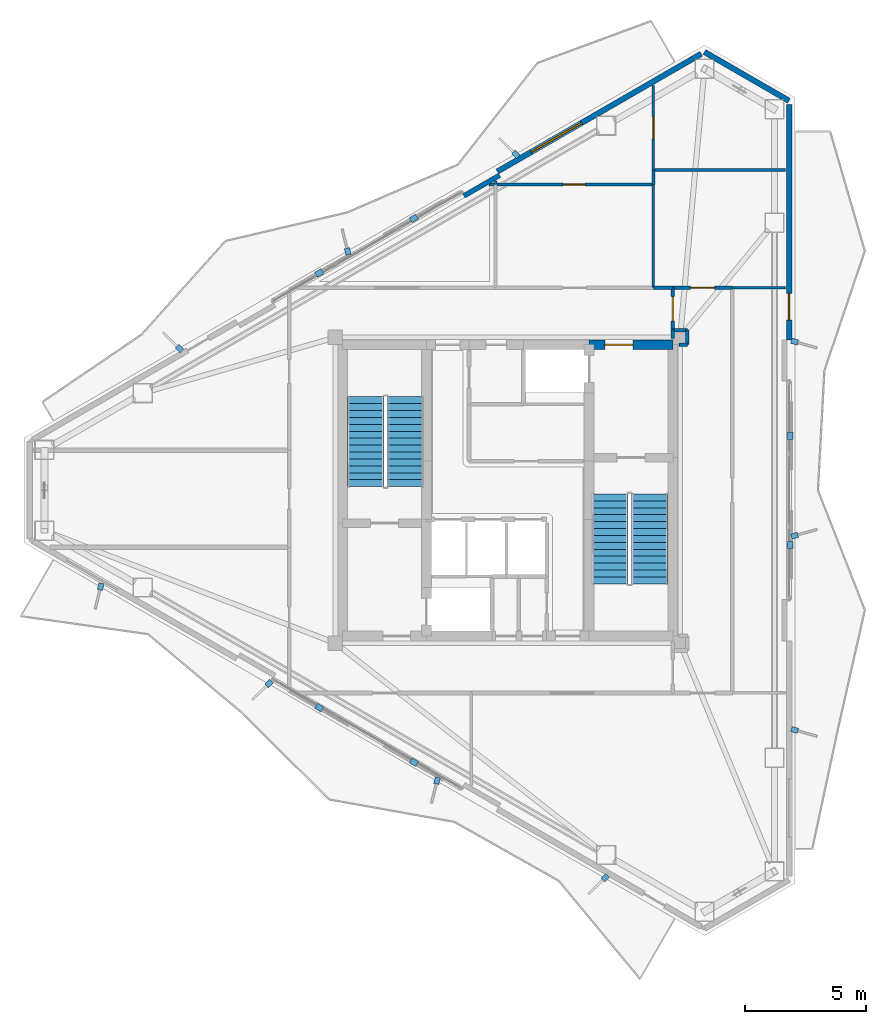
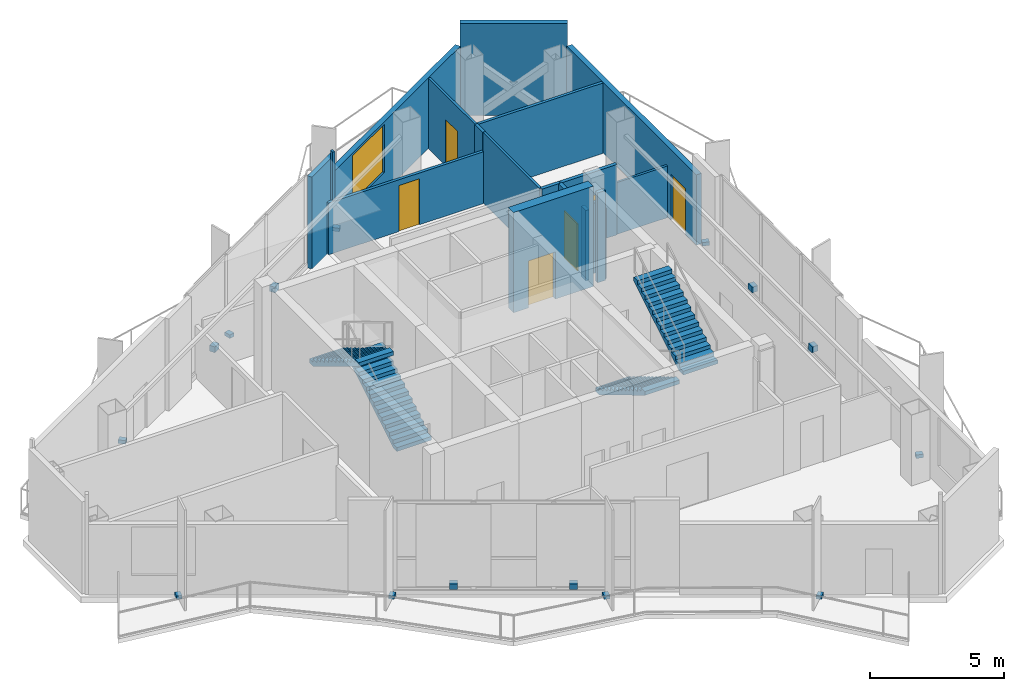
# One storey, part 13 of 15: 19 walls, 16 discrete accessories, 6 doors, 4 stair flights, 1 window, 7 openings, 2 elements without a shape of their own.
"""IFC4 building model written with IfcOpenShell, lengths in metres."""

from ifc_helpers import new_model, si_unit, direction, frame, frame_2d, origin, origin_2d, place, context, subcontext, project, spatial, polyline, rectangle, outline, extrude, material, layer, layer_set, type_object, element, fill, aggregate, save


model = new_model("IFC4")

# Units and contexts
model_context = context("Model", 3, precision=1e-05, world=origin(), true_north=direction((0.0, 1.0)))
body_context = subcontext(model_context, "Body", "Model", "MODEL_VIEW")
ifc_project = project(units=[si_unit("LENGTHUNIT", "METRE"), si_unit("AREAUNIT", "SQUARE_METRE"), si_unit("VOLUMEUNIT", "CUBIC_METRE"), si_unit("PLANEANGLEUNIT", "RADIAN"), si_unit("MASSUNIT", "GRAM", prefix="KILO")], contexts=[model_context])

# Site, building, storey
site_placement = place(None, origin())
site = spatial("IfcSite", under=ifc_project, at=site_placement, CompositionType="ELEMENT")
building_placement = place(site_placement, origin())
building = spatial("IfcBuilding", under=site, at=building_placement, Name="Mersakhor Tower and Convention Hall", CompositionType="ELEMENT")
storey_placement = place(building_placement, frame((0.0, 0.0, 218.39990234375)))
storey = spatial("IfcBuildingStorey", under=building, at=storey_placement, Name="L61", CompositionType="ELEMENT", Elevation=218.39990234375)

# Wall
ifc_material_1 = material(Name="Precast concrete C40/50", Category="concrete")
ifc_layer_1 = layer(ifc_material_1, 0.22509765625)
ifc_layer_set_1 = layer_set([ifc_layer_1], Name="Precast concrete C40/50")
wall_type_1 = type_object("IfcWallType", Name="WL-EXT-225", PredefinedType="SOLIDWALL", material=ifc_layer_set_1)
wall_1_placement = place(storey_placement, frame((37.10400390625, 44.81005859375, 0.0), z_axis=(0.0, 0.0, 1.0), x_axis=(0.866023907196, -0.500002592159, 0.0)))
element("IfcWall", 1, at=wall_1_placement, inside=storey, type_object=wall_type_1, Name="L61 Chamfer Braced Spandrel Wall C1", PredefinedType="SOLIDWALL", context=body_context, shape_type="SweptSolid", body=[
    extrude(rectangle(XDim=4.0234375, YDim=0.22509765625, at=frame_2d((2.01171875, 0.0))), origin(), (0.0, 0.0, 1.0), 4.2001953125),
])

# Wall, opening, window
wall_2_placement = place(storey_placement, frame((28.57470703125, 39.885498046875, 0.0), z_axis=(0.0, 0.0, 1.0), x_axis=(0.866016233231, 0.500015883528, 0.0)))
wall_2 = element("IfcWall", 2, at=wall_2_placement, inside=storey, type_object=wall_type_1, Name="L61 Exterior Facade Wall F1-B3", PredefinedType="SOLIDWALL", context=body_context, shape_type="SweptSolid", body=[
    extrude(rectangle(XDim=9.698974609375, YDim=0.22509765625, at=frame_2d((4.849609375, 0.0))), origin(), (0.0, 0.0, 1.0), 3.215087890625),
])
opening_1_placement = place(wall_2_placement, frame((1.60595703125, 0.0, 0.89990234375)))
opening_1 = element("IfcOpeningElement", 3, at=opening_1_placement, cuts=wall_2, Name="Opening W-09", PredefinedType="OPENING", context=body_context, shape_type="SweptSolid", body=[
    extrude(rectangle(XDim=2.39990234375, YDim=2.199951171875, at=frame_2d((1.199951171875, 1.10009765625))), frame((0.0, 0.12255859375, 0.0), z_axis=(0.0, -1.0, 0.0), x_axis=(1.0, 0.0, 0.0)), (0.0, 0.0, 1.0), 0.2451171875),
])
ifc_material_2 = material(Name="Dark solar low-E glazed aluminium window", Category="aluminium")
window_type = type_object("IfcWindowType", Name="WN-COM-240x220", PartitioningType="SINGLE_PANEL", PredefinedType="WINDOW", material=ifc_material_2)
window_placement = place(opening_1_placement, origin())
window = element("IfcWindow", 4, at=window_placement, inside=storey, type_object=window_type, Name="L61 Facade Punched Window F1-B3", OverallHeight=2.199951171875, OverallWidth=2.39990234375, PartitioningType="SINGLE_PANEL", PredefinedType="WINDOW", context=body_context, shape_type="SweptSolid", body=[
    extrude(rectangle(XDim=2.39990234375, YDim=2.199951171875, at=frame_2d((1.199951171875, 1.10009765625))), frame((0.0, 0.030029296875, 0.0), z_axis=(0.0, -1.0, 0.0), x_axis=(1.0, 0.0, 0.0)), (0.0, 0.0, 1.0), 0.06005859375),
])
fill(opening_1, window)

# Wall, opening, door
wall_3_placement = place(storey_placement, frame((40.58837890625, 42.6484375, 0.0), z_axis=(0.0, 0.0, 1.0), x_axis=(0.0, -1.0, 0.0)))
wall_3 = element("IfcWall", 5, at=wall_3_placement, inside=storey, type_object=wall_type_1, Name="L61 Exterior Facade Wall F2-B1", PredefinedType="SOLIDWALL", context=body_context, shape_type="SweptSolid", body=[
    extrude(rectangle(XDim=9.698974609375, YDim=0.22509765625, at=frame_2d((4.849609375, 0.0))), origin(), (0.0, 0.0, 1.0), 3.215087890625),
])
opening_2_placement = place(wall_3_placement, frame((7.783935546875, 0.0, 0.0)))
opening_2 = element("IfcOpeningElement", 6, at=opening_2_placement, cuts=wall_3, Name="Opening BD-02", PredefinedType="OPENING", context=body_context, shape_type="SweptSolid", body=[
    extrude(rectangle(XDim=1.10009765625, YDim=2.10009765625, at=frame_2d((0.550048828125, 1.050048828125))), frame((0.0, 0.12255859375, 0.0), z_axis=(0.0, -1.0, 0.0), x_axis=(1.0, 0.0, 0.0)), (0.0, 0.0, 1.0), 0.2451171875),
])
ifc_material_3 = material(Name="Thermally broken dark aluminium and safety glass", Category="aluminium")
door_type_1 = type_object("IfcDoorType", Name="DR-BAL-110x210", OperationType="NOTDEFINED", PredefinedType="DOOR", material=ifc_material_3)
door_1_placement = place(opening_2_placement, origin())
door_1 = element("IfcDoor", 7, at=door_1_placement, inside=storey, type_object=door_type_1, Name="L61 Balcony Terrace Door F2-B1", OperationType="SINGLE_SWING_RIGHT", OverallHeight=2.10009765625, OverallWidth=1.10009765625, PredefinedType="DOOR", context=body_context, shape_type="SweptSolid", body=[
    extrude(rectangle(XDim=1.10009765625, YDim=2.10009765625, at=frame_2d((0.550048828125, 1.050048828125))), frame((0.0, 0.02490234375, 0.0), z_axis=(0.0, -1.0, 0.0), x_axis=(1.0, 0.0, 0.0)), (0.0, 0.0, 1.0), 0.050048828125),
])
fill(opening_2, door_1)

# Walls
ifc_material_4 = material(Name="Precast concrete C40/50", Category="concrete")
ifc_layer_2 = layer(ifc_material_4, 0.199951171875)
ifc_layer_set_2 = layer_set([ifc_layer_2], Name="Precast concrete C40/50")
wall_type_2 = type_object("IfcWallType", Name="WL-PAR-200", PredefinedType="PARAPET", material=ifc_layer_set_2)
wall_4_placement = place(storey_placement, frame((27.1923828125, 38.879638671875, 0.0), z_axis=(0.0, 0.0, 1.0), x_axis=(0.866025371046, 0.500000056704, 0.0)))
element("IfcWall", 8, at=wall_4_placement, inside=storey, type_object=wall_type_2, Name="L61 Column Pier Cladding Wall F1-C2", PredefinedType="PARAPET", context=body_context, shape_type="SweptSolid", body=[
    extrude(rectangle(XDim=1.7001953125, YDim=0.199951171875, at=frame_2d((0.85009765625, 0.0))), origin(), (0.0, 0.0, 1.0), 4.2001953125),
])
ifc_material_5 = material(Name="Lightweight gypsum partition", Category="other")
ifc_layer_3 = layer(ifc_material_5, 0.10009765625)
ifc_layer_set_3 = layer_set([ifc_layer_3], Name="Lightweight gypsum partition")
wall_type_3 = type_object("IfcWallType", Name="WL-PRT-100", PredefinedType="PARTITIONING", material=ifc_layer_set_3)
wall_5_placement = place(storey_placement, frame((28.5, 39.50390625, 0.0), z_axis=(0.0, 0.0, 1.0), x_axis=(0.0, -1.0, 0.0)))
element("IfcWall", 9, at=wall_5_placement, inside=storey, type_object=wall_type_3, Name="L61 Interior Partition Wall P-042", PredefinedType="PARTITIONING", context=body_context, shape_type="SweptSolid", body=[
    extrude(rectangle(XDim=0.15380859375, YDim=0.10009765625, at=frame_2d((0.076904296875, 0.0))), origin(), (0.0, 0.0, 1.0), 4.580078125),
])
wall_6_placement = place(storey_placement, frame((35.0, 39.35009765625, 0.0), z_axis=(0.0, 0.0, 1.0), x_axis=(0.0, -1.0, 0.0)))
element("IfcWall", 10, at=wall_6_placement, inside=storey, type_object=wall_type_3, Name="L61 Interior Partition Wall P-044", PredefinedType="PARTITIONING", context=body_context, shape_type="SweptSolid", body=[
    extrude(rectangle(XDim=4.25, YDim=0.10009765625, at=frame_2d((2.125, 0.0))), origin(), (0.0, 0.0, 1.0), 3.215087890625),
])

# Wall, opening, door
wall_7_placement = place(storey_placement, frame((35.0, 43.4375, 0.0), z_axis=(0.0, 0.0, 1.0), x_axis=(0.0, -1.0, 0.0)))
wall_7 = element("IfcWall", 11, at=wall_7_placement, inside=storey, type_object=wall_type_3, Name="L61 Interior Partition Wall P-046", PredefinedType="PARTITIONING", context=body_context, shape_type="SweptSolid", body=[
    extrude(rectangle(XDim=3.487548828125, YDim=0.10009765625, at=frame_2d((1.74365234375, 0.0))), origin(), (0.0, 0.0, 1.0), 3.215087890625),
])
opening_3_placement = place(wall_7_placement, frame((1.293701171875, 0.0, 0.0)))
opening_3 = element("IfcOpeningElement", 12, at=opening_3_placement, cuts=wall_7, Name="Opening WD-01", PredefinedType="OPENING", context=body_context, shape_type="SweptSolid", body=[
    extrude(rectangle(XDim=0.89990234375, YDim=2.10009765625, at=frame_2d((0.449951171875, 1.050048828125))), frame((0.0, 0.06005859375, 0.0), z_axis=(0.0, -1.0, 0.0), x_axis=(1.0, 0.0, 0.0)), (0.0, 0.0, 1.0), 0.1201171875),
])
ifc_material_6 = material(Name="Solid-core hardwood leaf in painted steel frame", Category="steel")
door_type_2 = type_object("IfcDoorType", Name="DR-INT-WET-090x210", OperationType="NOTDEFINED", PredefinedType="DOOR", material=ifc_material_6)
door_2_placement = place(opening_3_placement, origin())
door_2 = element("IfcDoor", 13, at=door_2_placement, inside=storey, type_object=door_type_2, Name="L61 Upper Zone Quiet Study Room 1 Annex to Upper Zone Quiet Study Room 2 Annex Door", OperationType="SINGLE_SWING_LEFT", OverallHeight=2.10009765625, OverallWidth=0.89990234375, PredefinedType="DOOR", context=body_context, shape_type="SweptSolid", body=[
    extrude(rectangle(XDim=0.89990234375, YDim=2.10009765625, at=frame_2d((0.449951171875, 1.050048828125))), frame((0.0, 0.02490234375, 0.0), z_axis=(0.0, -1.0, 0.0), x_axis=(1.0, 0.0, 0.0)), (0.0, 0.0, 1.0), 0.050048828125),
])
fill(opening_3, door_2)

# Wall
wall_8_placement = place(storey_placement, frame((40.451904296875, 35.10009765625, 0.0), z_axis=(0.0, 0.0, 1.0), x_axis=(-1.0, 0.0, 0.0)))
element("IfcWall", 14, at=wall_8_placement, inside=storey, type_object=wall_type_3, Name="L61 Interior Partition Wall P-048", PredefinedType="PARTITIONING", context=body_context, shape_type="SweptSolid", body=[
    extrude(rectangle(XDim=2.201904296875, YDim=0.10009765625, at=frame_2d((1.10107421875, 0.0))), origin(), (0.0, 0.0, 1.0), 2.364990234375),
])

# Wall, opening, door
ifc_material_7 = material(Name="Gypsum board acoustic partition", Category="other")
ifc_layer_4 = layer(ifc_material_7, 0.125)
ifc_layer_set_4 = layer_set([ifc_layer_4], Name="Gypsum board acoustic partition")
wall_type_4 = type_object("IfcWallType", Name="WL-PRT-125", PredefinedType="PARTITIONING", material=ifc_layer_set_4)
wall_9_placement = place(storey_placement, frame((28.232421875, 39.35009765625, 0.0), z_axis=(0.0, 0.0, 1.0), x_axis=(1.0, 0.0, 0.0)))
wall_9 = element("IfcWall", 15, at=wall_9_placement, inside=storey, type_object=wall_type_4, Name="L61 Interior Partition Wall P-045", PredefinedType="PARTITIONING", context=body_context, shape_type="SweptSolid", body=[
    extrude(rectangle(XDim=6.767578125, YDim=0.125, at=frame_2d((3.3837890625, 0.0))), origin(), (0.0, 0.0, 1.0), 2.364990234375),
])
opening_4_placement = place(wall_9_placement, frame((3.047607421875, 0.0, 0.0)))
opening_4 = element("IfcOpeningElement", 16, at=opening_4_placement, cuts=wall_9, Name="Opening WD-01", PredefinedType="OPENING", context=body_context, shape_type="SweptSolid", body=[
    extrude(rectangle(XDim=0.89990234375, YDim=2.10009765625, at=frame_2d((0.449951171875, 1.050048828125))), frame((0.0, 0.072509765625, 0.0), z_axis=(0.0, -1.0, 0.0), x_axis=(1.0, 0.0, 0.0)), (0.0, 0.0, 1.0), 0.14501953125),
])
door_3_placement = place(opening_4_placement, origin())
door_3 = element("IfcDoor", 17, at=door_3_placement, inside=storey, type_object=door_type_2, Name="L61 Upper Zone Quiet Study Room 1 to Upper Zone Quiet Study Room 1 Annex Door", OperationType="SINGLE_SWING_RIGHT", OverallHeight=2.10009765625, OverallWidth=0.89990234375, PredefinedType="DOOR", context=body_context, shape_type="SweptSolid", body=[
    extrude(rectangle(XDim=0.89990234375, YDim=2.10009765625, at=frame_2d((0.449951171875, 1.050048828125))), frame((0.0, 0.02490234375, 0.0), z_axis=(0.0, -1.0, 0.0), x_axis=(1.0, 0.0, 0.0)), (0.0, 0.0, 1.0), 0.050048828125),
])
fill(opening_4, door_3)

# Walls
wall_10_placement = place(storey_placement, frame((35.0, 39.949951171875, 0.0), z_axis=(0.0, 0.0, 1.0), x_axis=(0.0, -1.0, 0.0)))
element("IfcWall", 18, at=wall_10_placement, inside=storey, type_object=wall_type_4, Name="L61 Interior Partition Wall P-047", PredefinedType="PARTITIONING", context=body_context, shape_type="SweptSolid", body=[
    extrude(rectangle(XDim=0.599853515625, YDim=0.125, at=frame_2d((0.2998046875, 0.0))), origin(), (0.0, 0.0, 1.0), 3.215087890625),
])
wall_11_placement = place(storey_placement, frame((35.0, 39.949951171875, 0.0), z_axis=(0.0, 0.0, 1.0), x_axis=(1.0, 0.0, 0.0)))
element("IfcWall", 19, at=wall_11_placement, inside=storey, type_object=wall_type_4, Name="L61 Interior Partition Wall P-049", PredefinedType="PARTITIONING", context=body_context, shape_type="SweptSolid", body=[
    extrude(rectangle(XDim=5.451904296875, YDim=0.125, at=frame_2d((2.72607421875, 0.0))), origin(), (0.0, 0.0, 1.0), 3.215087890625),
])
ifc_material_8 = material(Name="Fire-rated gypsum board stud partition", Category="other")
ifc_layer_5 = layer(ifc_material_8, 0.14990234375)
ifc_layer_set_5 = layer_set([ifc_layer_5], Name="Fire-rated gypsum board stud partition")
wall_type_5 = type_object("IfcWallType", Name="WL-PRT-150", PredefinedType="PARTITIONING", material=ifc_layer_set_5)
wall_12_placement = place(storey_placement, frame((35.0, 35.10009765625, 0.0), z_axis=(0.0, 0.0, 1.0), x_axis=(1.0, 0.0, 0.0)))
element("IfcWall", 20, at=wall_12_placement, inside=storey, type_object=wall_type_5, Name="L61 Interior Partition Wall P-018", PredefinedType="PARTITIONING", context=body_context, shape_type="SweptSolid", body=[
    extrude(rectangle(XDim=0.800048828125, YDim=0.14990234375, at=frame_2d((0.39990234375, 0.0))), origin(), (0.0, 0.0, 1.0), 3.215087890625),
])

# Wall, opening, door
wall_13_placement = place(storey_placement, frame((35.800048828125, 35.10009765625, 0.0), z_axis=(0.0, 0.0, 1.0), x_axis=(0.0, -1.0, 0.0)))
wall_13 = element("IfcWall", 21, at=wall_13_placement, inside=storey, type_object=wall_type_5, Name="L61 Interior Partition Wall P-019", PredefinedType="PARTITIONING", context=body_context, shape_type="SweptSolid", body=[
    extrude(rectangle(XDim=1.75, YDim=0.14990234375, at=frame_2d((0.875, 0.0))), origin(), (0.0, 0.0, 1.0), 3.215087890625),
])
opening_5_placement = place(wall_13_placement, frame((0.375, 0.0, 0.0)))
opening_5 = element("IfcOpeningElement", 22, at=opening_5_placement, cuts=wall_13, Name="Opening FD-01", PredefinedType="OPENING", context=body_context, shape_type="SweptSolid", body=[
    extrude(rectangle(XDim=1.0, YDim=2.14990234375, at=frame_2d((0.5, 1.074951171875))), frame((0.0, 0.0849609375, 0.0), z_axis=(0.0, -1.0, 0.0), x_axis=(1.0, 0.0, 0.0)), (0.0, 0.0, 1.0), 0.169921875),
])
ifc_material_9 = material(Name="Fire-rated hardwood leaf and painted steel frame", Category="steel")
door_type_3 = type_object("IfcDoorType", Name="DR-INT-FLT-100x215", OperationType="NOTDEFINED", PredefinedType="DOOR", material=ifc_material_9)
door_4_placement = place(opening_5_placement, origin())
door_4 = element("IfcDoor", 23, at=door_4_placement, inside=storey, type_object=door_type_3, Name="L61 Ring Corridor Fire Door", OperationType="SINGLE_SWING_LEFT", OverallHeight=2.14990234375, OverallWidth=1.0, PredefinedType="DOOR", context=body_context, shape_type="SweptSolid", body=[
    extrude(rectangle(XDim=1.0, YDim=2.14990234375, at=frame_2d((0.5, 1.074951171875))), frame((0.0, 0.02490234375, 0.0), z_axis=(0.0, -1.0, 0.0), x_axis=(1.0, 0.0, 0.0)), (0.0, 0.0, 1.0), 0.050048828125),
])
fill(opening_5, door_4)

# Walls
wall_14_placement = place(storey_placement, frame((35.800048828125, 33.35009765625, 0.0), z_axis=(0.0, 0.0, 1.0), x_axis=(0.0, -1.0, 0.0)))
element("IfcWall", 24, at=wall_14_placement, inside=storey, type_object=wall_type_5, Name="L61 Interior Partition Wall P-020", PredefinedType="PARTITIONING", context=body_context, shape_type="SweptSolid", body=[
    extrude(rectangle(XDim=0.35009765625, YDim=0.14990234375, at=frame_2d((0.175048828125, 0.0))), origin(), (0.0, 0.0, 1.0), 3.215087890625),
])
wall_15_placement = place(storey_placement, frame((36.39990234375, 32.75, 0.0), z_axis=(0.0, 0.0, 1.0), x_axis=(0.0, 1.0, 0.0)))
element("IfcWall", 25, at=wall_15_placement, inside=storey, type_object=wall_type_5, Name="L61 Interior Partition Wall P-028", PredefinedType="PARTITIONING", context=body_context, shape_type="SweptSolid", body=[
    extrude(rectangle(XDim=0.60009765625, YDim=0.14990234375, at=frame_2d((0.300048828125, 0.0))), origin(), (0.0, 0.0, 1.0), 3.215087890625),
])
wall_16_placement = place(storey_placement, frame((36.39990234375, 33.35009765625, 0.0), z_axis=(0.0, 0.0, 1.0), x_axis=(-1.0, 0.0, 0.0)))
element("IfcWall", 26, at=wall_16_placement, inside=storey, type_object=wall_type_5, Name="L61 Interior Partition Wall P-029", PredefinedType="PARTITIONING", context=body_context, shape_type="SweptSolid", body=[
    extrude(rectangle(XDim=0.599853515625, YDim=0.14990234375, at=frame_2d((0.2998046875, 0.0))), origin(), (0.0, 0.0, 1.0), 3.215087890625),
])

# Wall, opening, door
wall_17_placement = place(storey_placement, frame((35.800048828125, 35.10009765625, 0.0), z_axis=(0.0, 0.0, 1.0), x_axis=(1.0, 0.0, 0.0)))
wall_17 = element("IfcWall", 27, at=wall_17_placement, inside=storey, type_object=wall_type_5, Name="L61 Interior Partition Wall P-030", PredefinedType="PARTITIONING", context=body_context, shape_type="SweptSolid", body=[
    extrude(rectangle(XDim=2.449951171875, YDim=0.14990234375, at=frame_2d((1.22509765625, 0.0))), origin(), (0.0, 0.0, 1.0), 3.215087890625),
])
opening_6_placement = place(wall_17_placement, frame((0.72509765625, 0.0, 0.0)))
opening_6 = element("IfcOpeningElement", 28, at=opening_6_placement, cuts=wall_17, Name="Opening FD-01", PredefinedType="OPENING", context=body_context, shape_type="SweptSolid", body=[
    extrude(rectangle(XDim=1.0, YDim=2.14990234375, at=frame_2d((0.5, 1.074951171875))), frame((0.0, 0.0849609375, 0.0), z_axis=(0.0, -1.0, 0.0), x_axis=(1.0, 0.0, 0.0)), (0.0, 0.0, 1.0), 0.169921875),
])
door_5_placement = place(opening_6_placement, origin())
door_5 = element("IfcDoor", 29, at=door_5_placement, inside=storey, type_object=door_type_3, Name="L61 L61 Sky-Lobby East Corridor to Upper Zone Quiet Study Room 2 Door", OperationType="SINGLE_SWING_LEFT", OverallHeight=2.14990234375, OverallWidth=1.0, PredefinedType="DOOR", context=body_context, shape_type="SweptSolid", body=[
    extrude(rectangle(XDim=1.0, YDim=2.14990234375, at=frame_2d((0.5, 1.074951171875))), frame((0.0, 0.02490234375, 0.0), z_axis=(0.0, -1.0, 0.0), x_axis=(1.0, 0.0, 0.0)), (0.0, 0.0, 1.0), 0.050048828125),
])
fill(opening_6, door_5)

# Wall
wall_18_placement = place(storey_placement, frame((36.050048828125, 32.75, 0.0), z_axis=(0.0, 0.0, 1.0), x_axis=(1.0, 0.0, 0.0)))
element("IfcWall", 30, at=wall_18_placement, inside=storey, type_object=wall_type_5, Name="L61 Interior Partition Wall P-036", PredefinedType="PARTITIONING", context=body_context, shape_type="SweptSolid", body=[
    extrude(rectangle(XDim=0.349853515625, YDim=0.14990234375, at=frame_2d((0.1748046875, 0.0))), origin(), (0.0, 0.0, 1.0), 4.10498046875),
])

# Wall, opening, door
ifc_material_10 = material(Name="Concrete C60/75", Category="concrete")
ifc_layer_6 = layer(ifc_material_10, 0.39990234375)
ifc_layer_set_6 = layer_set([ifc_layer_6], Name="Concrete C60/75")
wall_type_6 = type_object("IfcWallType", Name="WL-SHR-400", PredefinedType="SHEAR", material=ifc_layer_set_6)
wall_19_placement = place(storey_placement, frame((32.35009765625, 32.75, 0.0), z_axis=(0.0, 0.0, 1.0), x_axis=(1.0, 0.0, 0.0)))
wall_19 = element("IfcWall", 31, at=wall_19_placement, inside=storey, type_object=wall_type_6, Name="L61 Core Wall CW-N4", PredefinedType="SHEAR", context=body_context, shape_type="SweptSolid", body=[
    extrude(rectangle(XDim=3.449951171875, YDim=0.39990234375, at=frame_2d((1.72509765625, 0.0))), origin(), (0.0, 0.0, 1.0), 4.580078125),
])
opening_7_placement = place(wall_19_placement, frame((0.64990234375, 0.0, 0.0)))
opening_7 = element("IfcOpeningElement", 32, at=opening_7_placement, cuts=wall_19, Name="Opening SD-01", PredefinedType="OPENING", context=body_context, shape_type="SweptSolid", body=[
    extrude(rectangle(XDim=1.14990234375, YDim=2.14990234375, at=frame_2d((0.574951171875, 1.074951171875))), frame((0.0, 0.2099609375, 0.0), z_axis=(0.0, -1.0, 0.0), x_axis=(1.0, 0.0, 0.0)), (0.0, 0.0, 1.0), 0.419921875),
])
ifc_material_11 = material(Name="Fire-rated hardwood leaf and painted steel frame", Category="steel")
door_type_4 = type_object("IfcDoorType", Name="DR-INT-STAIR-115x215", OperationType="NOTDEFINED", PredefinedType="DOOR", material=ifc_material_11)
door_6_placement = place(opening_7_placement, origin())
door_6 = element("IfcDoor", 33, at=door_6_placement, inside=storey, type_object=door_type_4, Name="L61 Firefighting Lobby East Fire Door", OperationType="SINGLE_SWING_RIGHT", OverallHeight=2.14990234375, OverallWidth=1.14990234375, PredefinedType="DOOR", context=body_context, shape_type="SweptSolid", body=[
    extrude(rectangle(XDim=1.14990234375, YDim=2.14990234375, at=frame_2d((0.574951171875, 1.074951171875))), frame((0.0, 0.02490234375, 0.0), z_axis=(0.0, -1.0, 0.0), x_axis=(1.0, 0.0, 0.0)), (0.0, 0.0, 1.0), 0.050048828125),
])
fill(opening_7, door_6)

# Stair, stair flights
ifc_material_12 = material(Name="Concrete C45/55", Category="concrete")
stair_type = type_object("IfcStairType", Name="ST-TWR-28R", PredefinedType="HALF_TURN_STAIR", material=ifc_material_12)
stair_1_placement = place(storey_placement, origin())
stair_1 = element("IfcStair", 34, at=stair_1_placement, inside=storey, type_object=stair_type, Name="L61 Tower Protected Exit Stair ST-1", PredefinedType="HALF_TURN_STAIR")
ifc_material_13 = material(Name="Concrete C45/55", Category="concrete")
stair_flight_type = type_object("IfcStairFlightType", Name="SFL-TWR-28R", PredefinedType="STRAIGHT", material=ifc_material_13)
stair_flight_1_placement = place(storey_placement, frame((24.800048828125, 26.89990234375, 0.0), z_axis=(0.0, 0.0, 1.0), x_axis=(0.0, 1.0, 0.0)))
stair_flight_1 = element("IfcStairFlight", 35, at=stair_flight_1_placement, type_object=stair_flight_type, Name="ST-1 flight 1", NumberOfRisers=14, NumberOfTreads=13, PredefinedType="STRAIGHT", RiserHeight=0.171428571, TreadLength=0.285, context=body_context, shape_type="SweptSolid", body=[
    extrude(outline(polyline([(0.0, 0.0), (0.0, 0.17138671875), (0.284912109375, 0.17138671875), (0.284912109375, 0.3427734375), (0.570068359375, 0.3427734375), (0.570068359375, 0.514404296875), (0.85498046875, 0.514404296875), (0.85498046875, 0.685791015625), (1.139892578125, 0.685791015625), (1.139892578125, 0.857177734375), (1.425048828125, 0.857177734375), (1.425048828125, 1.028564453125), (1.7099609375, 1.028564453125), (1.7099609375, 1.199951171875), (1.9951171875, 1.199951171875), (1.9951171875, 1.371337890625), (2.280029296875, 1.371337890625), (2.280029296875, 1.54296875), (2.56494140625, 1.54296875), (2.56494140625, 1.71435546875), (2.85009765625, 1.71435546875), (2.85009765625, 1.8857421875), (3.135009765625, 1.8857421875), (3.135009765625, 2.05712890625), (3.419921875, 2.05712890625), (3.419921875, 2.228515625), (3.705078125, 2.228515625), (3.705078125, 2.39990234375), (3.705078125, 2.0537109375), (0.290771484375, 0.0), (0.0, 0.0)])), frame((0.0, 0.75, 0.0), z_axis=(0.0, -1.0, 0.0), x_axis=(1.0, 0.0, 0.0)), (0.0, 0.0, 1.0), 1.5),
])
stair_flight_2_placement = place(storey_placement, frame((23.14990234375, 30.60498046875, 2.400146484375), z_axis=(0.0, 0.0, 1.0), x_axis=(0.0, -1.0, 0.0)))
stair_flight_2 = element("IfcStairFlight", 36, at=stair_flight_2_placement, type_object=stair_flight_type, Name="ST-1 flight 2", NumberOfRisers=14, NumberOfTreads=13, PredefinedType="STRAIGHT", RiserHeight=0.171428571, TreadLength=0.285, context=body_context, shape_type="SweptSolid", body=[
    extrude(outline(polyline([(0.0, 0.0), (0.0, 0.17138671875), (0.284912109375, 0.17138671875), (0.284912109375, 0.3427734375), (0.570068359375, 0.3427734375), (0.570068359375, 0.514404296875), (0.85498046875, 0.514404296875), (0.85498046875, 0.685791015625), (1.139892578125, 0.685791015625), (1.139892578125, 0.857177734375), (1.425048828125, 0.857177734375), (1.425048828125, 1.028564453125), (1.7099609375, 1.028564453125), (1.7099609375, 1.199951171875), (1.9951171875, 1.199951171875), (1.9951171875, 1.371337890625), (2.280029296875, 1.371337890625), (2.280029296875, 1.54296875), (2.56494140625, 1.54296875), (2.56494140625, 1.71435546875), (2.85009765625, 1.71435546875), (2.85009765625, 1.8857421875), (3.135009765625, 1.8857421875), (3.135009765625, 2.05712890625), (3.419921875, 2.05712890625), (3.419921875, 2.228515625), (3.705078125, 2.228515625), (3.705078125, 2.39990234375), (3.705078125, 2.0537109375), (0.290771484375, 0.0), (0.0, 0.0)])), frame((0.0, 0.75, 0.0), z_axis=(0.0, -1.0, 0.0), x_axis=(1.0, 0.0, 0.0)), (0.0, 0.0, 1.0), 1.5),
])
aggregate(stair_1, [stair_flight_1, stair_flight_2])

stair_2_placement = place(storey_placement, origin())
stair_2 = element("IfcStair", 37, at=stair_2_placement, inside=storey, type_object=stair_type, Name="L61 Tower Protected Exit Stair ST-2", PredefinedType="HALF_TURN_STAIR")
stair_flight_3_placement = place(storey_placement, frame((33.199951171875, 26.60009765625, 0.0), z_axis=(0.0, 0.0, 1.0), x_axis=(0.0, -1.0, 0.0)))
stair_flight_3 = element("IfcStairFlight", 38, at=stair_flight_3_placement, type_object=stair_flight_type, Name="ST-2 flight 1", NumberOfRisers=14, NumberOfTreads=13, PredefinedType="STRAIGHT", RiserHeight=0.171428571, TreadLength=0.285, context=body_context, shape_type="SweptSolid", body=[
    extrude(outline(polyline([(0.0, 0.0), (0.0, 0.17138671875), (0.284912109375, 0.17138671875), (0.284912109375, 0.3427734375), (0.570068359375, 0.3427734375), (0.570068359375, 0.514404296875), (0.85498046875, 0.514404296875), (0.85498046875, 0.685791015625), (1.139892578125, 0.685791015625), (1.139892578125, 0.857177734375), (1.425048828125, 0.857177734375), (1.425048828125, 1.028564453125), (1.7099609375, 1.028564453125), (1.7099609375, 1.199951171875), (1.9951171875, 1.199951171875), (1.9951171875, 1.371337890625), (2.280029296875, 1.371337890625), (2.280029296875, 1.54296875), (2.56494140625, 1.54296875), (2.56494140625, 1.71435546875), (2.85009765625, 1.71435546875), (2.85009765625, 1.8857421875), (3.135009765625, 1.8857421875), (3.135009765625, 2.05712890625), (3.419921875, 2.05712890625), (3.419921875, 2.228515625), (3.705078125, 2.228515625), (3.705078125, 2.39990234375), (3.705078125, 2.0537109375), (0.290771484375, 0.0), (0.0, 0.0)])), frame((0.0, 0.75, 0.0), z_axis=(0.0, -1.0, 0.0), x_axis=(1.0, 0.0, 0.0)), (0.0, 0.0, 1.0), 1.5),
])
stair_flight_4_placement = place(storey_placement, frame((34.85009765625, 22.89501953125, 2.400146484375), z_axis=(0.0, 0.0, 1.0), x_axis=(0.0, 1.0, 0.0)))
stair_flight_4 = element("IfcStairFlight", 39, at=stair_flight_4_placement, type_object=stair_flight_type, Name="ST-2 flight 2", NumberOfRisers=14, NumberOfTreads=13, PredefinedType="STRAIGHT", RiserHeight=0.171428571, TreadLength=0.285, context=body_context, shape_type="SweptSolid", body=[
    extrude(outline(polyline([(0.0, 0.0), (0.0, 0.17138671875), (0.284912109375, 0.17138671875), (0.284912109375, 0.3427734375), (0.570068359375, 0.3427734375), (0.570068359375, 0.514404296875), (0.85498046875, 0.514404296875), (0.85498046875, 0.685791015625), (1.139892578125, 0.685791015625), (1.139892578125, 0.857177734375), (1.425048828125, 0.857177734375), (1.425048828125, 1.028564453125), (1.7099609375, 1.028564453125), (1.7099609375, 1.199951171875), (1.9951171875, 1.199951171875), (1.9951171875, 1.371337890625), (2.280029296875, 1.371337890625), (2.280029296875, 1.54296875), (2.56494140625, 1.54296875), (2.56494140625, 1.71435546875), (2.85009765625, 1.71435546875), (2.85009765625, 1.8857421875), (3.135009765625, 1.8857421875), (3.135009765625, 2.05712890625), (3.419921875, 2.05712890625), (3.419921875, 2.228515625), (3.705078125, 2.228515625), (3.705078125, 2.39990234375), (3.705078125, 2.0537109375), (0.290771484375, 0.0), (0.0, 0.0)])), frame((0.0, 0.75, 0.0), z_axis=(0.0, -1.0, 0.0), x_axis=(1.0, 0.0, 0.0)), (0.0, 0.0, 1.0), 1.5),
])
aggregate(stair_2, [stair_flight_3, stair_flight_4])

# Discrete accessories
ifc_material_14 = material(Name="Galvanised steel bracket", Category="steel")
ifc_layer_7 = layer(ifc_material_14, 0.02001953125)
ifc_layer_set_7 = layer_set([ifc_layer_7], Name="Galvanised steel bracket")
discrete_accessory_type = type_object("IfcDiscreteAccessoryType", Name="ACC-BRK-STL", PredefinedType="BRACKET", material=ifc_layer_set_7)
for number, where, z_axis, x_axis, name in (
    (40, (21.232421875, 35.704345703125, 0.2900390625), (0.0, 0.0, 1.0), (0.866025403784, 0.5, 0.0), "L61 Solar Screen Outrigger Bracket BRK-1-1"),
    (41, (25.129150390625, 37.9541015625, 0.2900390625), (0.0, 0.0, 1.0), (0.866025403784, 0.5, 0.0), "L61 Solar Screen Outrigger Bracket BRK-1-2"),
):
    element("IfcDiscreteAccessory", number, at=place(storey_placement, frame(where, z_axis=z_axis, x_axis=x_axis)), inside=storey, type_object=discrete_accessory_type, Name=name, PredefinedType="BRACKET", context=body_context, shape_type="SweptSolid", body=[
        extrude(rectangle(XDim=0.300048828125, YDim=0.239990234375, at=origin_2d()), origin(), (0.0, 0.0, 1.0), 0.260009765625),
    ])
for number, where, z_axis, x_axis, name in (
    (42, (15.47607421875, 32.588623046875, -0.02001953125), (0.0, 0.0, 1.0), (-0.719339800339, 0.694658370459, 0.0), "L61 Facade Fin Base Cleat Bracket FBRK-1-1"),
    (43, (22.404296875, 36.588623046875, -0.02001953125), (0.0, 0.0, 1.0), (-0.2419218956, 0.970295726276, 0.0), "L61 Facade Fin Base Cleat Bracket FBRK-1-2"),
    (44, (29.33251953125, 40.588623046875, -0.02001953125), (0.0, 0.0, 1.0), (-0.719339800339, 0.694658370459, 0.0), "L61 Facade Fin Base Cleat Bracket FBRK-1-3"),
):
    element("IfcDiscreteAccessory", number, at=place(storey_placement, frame(where, z_axis=z_axis, x_axis=x_axis)), inside=storey, type_object=discrete_accessory_type, Name=name, PredefinedType="BRACKET", context=body_context, shape_type="SweptSolid", body=[
        extrude(rectangle(XDim=0.280029296875, YDim=0.219970703125, at=origin_2d()), origin(), (0.0, 0.0, 1.0), 0.159912109375),
    ])
for number, where, z_axis, x_axis, name in (
    (45, (40.638427734375, 28.999755859375, 0.2900390625), (0.0, 0.0, 1.0), (0.0, -1.0, 0.0), "L61 Solar Screen Outrigger Bracket BRK-2-1"),
    (46, (40.638427734375, 24.500244140625, 0.2900390625), (0.0, 0.0, 1.0), (0.0, -1.0, 0.0), "L61 Solar Screen Outrigger Bracket BRK-2-2"),
):
    element("IfcDiscreteAccessory", number, at=place(storey_placement, frame(where, z_axis=z_axis, x_axis=x_axis)), inside=storey, type_object=discrete_accessory_type, Name=name, PredefinedType="BRACKET", context=body_context, shape_type="SweptSolid", body=[
        extrude(rectangle(XDim=0.300048828125, YDim=0.239990234375, at=origin_2d()), origin(), (0.0, 0.0, 1.0), 0.260009765625),
    ])
for number, where, z_axis, x_axis, name in (
    (47, (40.818359375, 32.8759765625, -0.02001953125), (0.0, 0.0, 1.0), (0.961261695938, -0.275637355817, 0.0), "L61 Facade Fin Base Cleat Bracket FBRK-2-1"),
    (48, (40.818359375, 24.8759765625, -0.02001953125), (0.0, 0.0, 1.0), (0.961261695938, 0.275637355817, 0.0), "L61 Facade Fin Base Cleat Bracket FBRK-2-2"),
    (49, (40.818359375, 16.8759765625, -0.02001953125), (0.0, 0.0, 1.0), (0.961261695938, -0.275637355817, 0.0), "L61 Facade Fin Base Cleat Bracket FBRK-2-3"),
):
    element("IfcDiscreteAccessory", number, at=place(storey_placement, frame(where, z_axis=z_axis, x_axis=x_axis)), inside=storey, type_object=discrete_accessory_type, Name=name, PredefinedType="BRACKET", context=body_context, shape_type="SweptSolid", body=[
        extrude(rectangle(XDim=0.280029296875, YDim=0.219970703125, at=origin_2d()), origin(), (0.0, 0.0, 1.0), 0.159912109375),
    ])
for number, where, z_axis, x_axis, name in (
    (50, (25.129150390625, 15.5458984375, 0.2900390625), (0.0, 0.0, 1.0), (-0.866025403784, 0.5, 0.0), "L61 Solar Screen Outrigger Bracket BRK-3-1"),
    (51, (21.232421875, 17.795654296875, 0.2900390625), (0.0, 0.0, 1.0), (-0.866025403784, 0.5, 0.0), "L61 Solar Screen Outrigger Bracket BRK-3-2"),
):
    element("IfcDiscreteAccessory", number, at=place(storey_placement, frame(where, z_axis=z_axis, x_axis=x_axis)), inside=storey, type_object=discrete_accessory_type, Name=name, PredefinedType="BRACKET", context=body_context, shape_type="SweptSolid", body=[
        extrude(rectangle(XDim=0.300048828125, YDim=0.239990234375, at=origin_2d()), origin(), (0.0, 0.0, 1.0), 0.260009765625),
    ])
for number, where, z_axis, x_axis, name in (
    (52, (33.014892578125, 10.785400390625, -0.02001953125), (0.0, 0.0, 1.0), (-0.719339800339, -0.694658370459, 0.0), "L61 Facade Fin Base Cleat Bracket FBRK-3-1"),
    (53, (26.086669921875, 14.785400390625, -0.02001953125), (0.0, 0.0, 1.0), (-0.2419218956, -0.970295726276, 0.0), "L61 Facade Fin Base Cleat Bracket FBRK-3-2"),
    (54, (19.158447265625, 18.785400390625, -0.02001953125), (0.0, 0.0, 1.0), (-0.719339800339, -0.694658370459, 0.0), "L61 Facade Fin Base Cleat Bracket FBRK-3-3"),
    (55, (12.230224609375, 22.785400390625, -0.02001953125), (0.0, 0.0, 1.0), (-0.2419218956, -0.970295726276, 0.0), "L61 Facade Fin Base Cleat Bracket FBRK-3-4"),
):
    element("IfcDiscreteAccessory", number, at=place(storey_placement, frame(where, z_axis=z_axis, x_axis=x_axis)), inside=storey, type_object=discrete_accessory_type, Name=name, PredefinedType="BRACKET", context=body_context, shape_type="SweptSolid", body=[
        extrude(rectangle(XDim=0.280029296875, YDim=0.219970703125, at=origin_2d()), origin(), (0.0, 0.0, 1.0), 0.159912109375),
    ])

save(model, "model.ifc")
